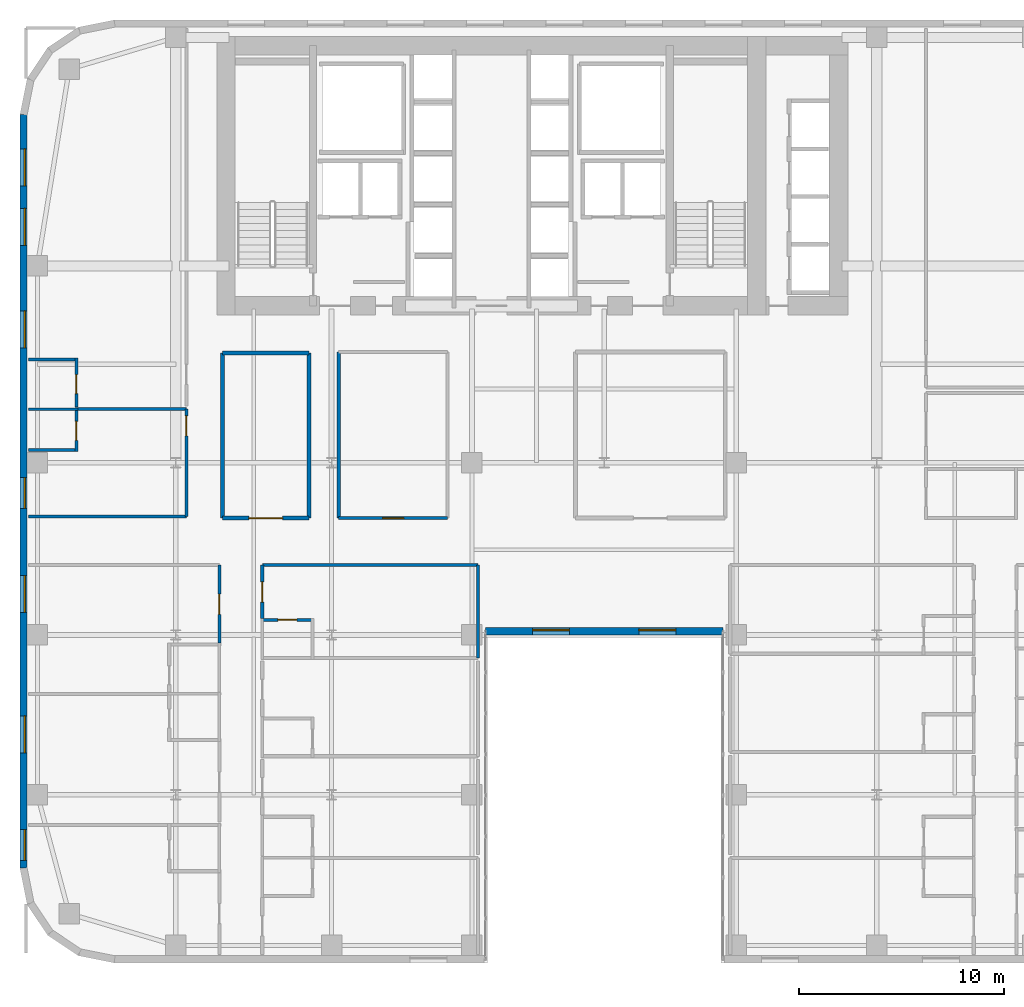
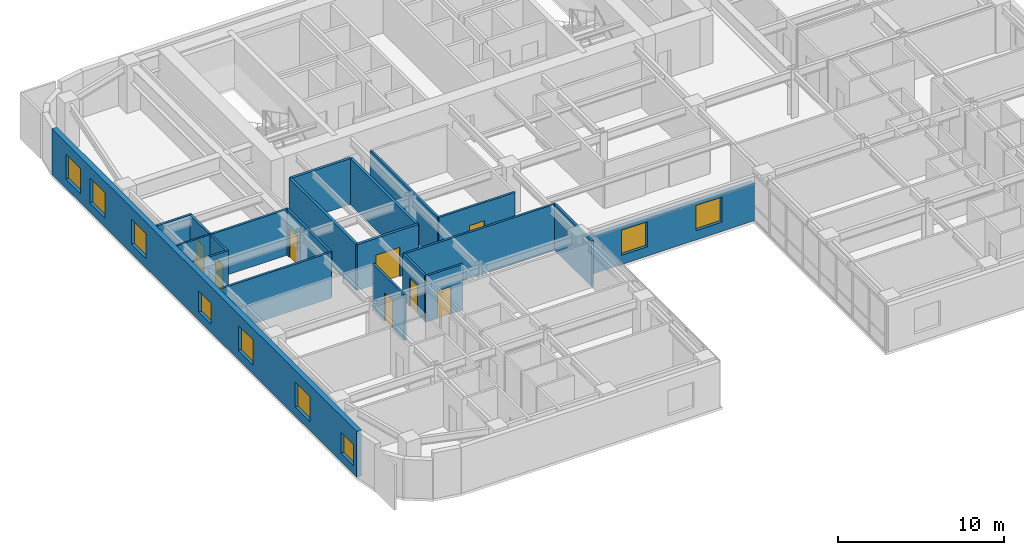
# One storey, part 11 of 17: 21 walls, 9 windows, 8 doors, 17 openings.
"""IFC4 building model written with IfcOpenShell, lengths in metres."""

from ifc_helpers import new_model, si_unit, direction, frame, frame_2d, origin, place, context, subcontext, project, spatial, rectangle, extrude, source, transform, mapped, material, layer, layer_set, type_object, type_shapes, element, fill, save


model = new_model("IFC4")

# Units and contexts
model_context = context("Model", 3, precision=1e-05, world=origin(), true_north=direction((0.0, 1.0)))
body_context = subcontext(model_context, "Body", "Model", "MODEL_VIEW")
ifc_project = project(units=[si_unit("LENGTHUNIT", "METRE"), si_unit("AREAUNIT", "SQUARE_METRE"), si_unit("VOLUMEUNIT", "CUBIC_METRE"), si_unit("PLANEANGLEUNIT", "RADIAN"), si_unit("MASSUNIT", "GRAM", prefix="KILO")], contexts=[model_context])

# Site, building, storey
site_placement = place(None, origin())
site = spatial("IfcSite", under=ifc_project, at=site_placement, CompositionType="ELEMENT")
building_placement = place(site_placement, origin())
building = spatial("IfcBuilding", under=site, at=building_placement, Name="Tolvann Quenvar Hotel", CompositionType="ELEMENT")
storey_placement = place(building_placement, frame((0.0, 0.0, 49.75)))
storey = spatial("IfcBuildingStorey", under=building, at=storey_placement, Name="L11", CompositionType="ELEMENT", Elevation=49.75)

# Wall, openings, windows
ifc_material_1 = material(Name="Kiln-fired red and buff architectural clay brickwork and terracotta masonry", Category="masonry")
ifc_layer_1 = layer(ifc_material_1, 0.35009765625)
ifc_layer_set_1 = layer_set([ifc_layer_1], Name="Kiln-fired red and buff architectural clay brickwork and terracotta masonry")
wall_type_1 = type_object("IfcWallType", Name="WALL_EXT_BRICK_350", PredefinedType="SOLIDWALL", material=ifc_layer_set_1)
wall_1_placement = place(storey_placement, frame((22.7099609375, 16.175048828125, 0.0), z_axis=(0.0, 0.0, 1.0), x_axis=(1.0, 0.0, 0.0)))
wall_1 = element("IfcWall", 1, at=wall_1_placement, inside=storey, type_object=wall_type_1, Name="Exterior Chicago Brick Wall L11-E06", PredefinedType="SOLIDWALL", context=body_context, shape_type="SweptSolid", body=[
    extrude(rectangle(XDim=11.580078125, YDim=0.35009765625, at=frame_2d((5.7900390625, 0.0))), origin(), (0.0, 0.0, 1.0), 2.748046875),
])
opening_1_placement = place(wall_1_placement, frame((2.294921875, 0.0, 0.679931640625)))
opening_1 = element("IfcOpeningElement", 2, at=opening_1_placement, cuts=wall_1, Name="Opening W-03", PredefinedType="OPENING", context=body_context, shape_type="SweptSolid", body=[
    extrude(rectangle(XDim=1.800048828125, YDim=1.85009765625, at=frame_2d((0.89990234375, 0.925048828125))), frame((0.0, 0.18505859375, 0.0), z_axis=(0.0, -1.0, 0.0), x_axis=(1.0, 0.0, 0.0)), (0.0, 0.0, 1.0), 0.3701171875),
])
opening_2_placement = place(wall_1_placement, frame((7.485107421875, 0.0, 0.679931640625)))
opening_2 = element("IfcOpeningElement", 3, at=opening_2_placement, cuts=wall_1, Name="Opening W-03", PredefinedType="OPENING", context=body_context, shape_type="SweptSolid", body=[
    extrude(rectangle(XDim=1.800048828125, YDim=1.85009765625, at=frame_2d((0.89990234375, 0.925048828125))), frame((0.0, 0.18505859375, 0.0), z_axis=(0.0, -1.0, 0.0), x_axis=(1.0, 0.0, 0.0)), (0.0, 0.0, 1.0), 0.3701171875),
])
ifc_material_2 = material(Name="Thermally broken bronze-anodised aluminium frame with double low-E glazing", Category="aluminium")
window_type_1 = type_object("IfcWindowType", Name="WIN_CHI_1800x2050", PartitioningType="TRIPLE_PANEL_HORIZONTAL", PredefinedType="WINDOW", material=ifc_material_2)
shared_shape_1 = source(origin(), body_context, "Body", "SweptSolid", [
    extrude(rectangle(XDim=1.800048828125, YDim=1.85009765625, at=frame_2d((0.89990234375, 0.925048828125))), frame((0.0, 0.090087890625, 0.0), z_axis=(0.0, -1.0, 0.0), x_axis=(1.0, 0.0, 0.0)), (0.0, 0.0, 1.0), 0.06005859375),
])
type_shapes(window_type_1, [shared_shape_1])
window_1_placement = place(opening_1_placement, origin())
window_1 = element("IfcWindow", 4, at=window_1_placement, inside=storey, type_object=window_type_1, Name="Chicago Window W-03 (EW-L11-E06-W01)", OverallHeight=1.85009765625, OverallWidth=1.800048828125, PartitioningType="TRIPLE_PANEL_HORIZONTAL", PredefinedType="WINDOW", context=body_context, shape_type="MappedRepresentation", body=[
    mapped(shared_shape_1, transform((0.0, 0.0, 0.0), x_axis=(1.0, 0.0, 0.0), y_axis=(0.0, 1.0, 0.0), z_axis=(0.0, 0.0, 1.0), scale=1.0)),
])
fill(opening_1, window_1)
window_2_placement = place(opening_2_placement, origin())
window_2 = element("IfcWindow", 5, at=window_2_placement, inside=storey, type_object=window_type_1, Name="Chicago Window W-03 (EW-L11-E06-W02)", OverallHeight=1.85009765625, OverallWidth=1.800048828125, PartitioningType="TRIPLE_PANEL_HORIZONTAL", PredefinedType="WINDOW", context=body_context, shape_type="MappedRepresentation", body=[
    mapped(shared_shape_1, transform((0.0, 0.0, 0.0), x_axis=(1.0, 0.0, 0.0), y_axis=(0.0, 1.0, 0.0), z_axis=(0.0, 0.0, 1.0), scale=1.0)),
])
fill(opening_2, window_2)

wall_2_placement = place(storey_placement, frame((0.175048828125, 41.3828125, 0.0), z_axis=(0.0, 0.0, 1.0), x_axis=(0.0, -1.0, 0.0)))
wall_2 = element("IfcWall", 6, at=wall_2_placement, inside=storey, type_object=wall_type_1, Name="Exterior Chicago Brick Wall L11-E23", PredefinedType="SOLIDWALL", context=body_context, shape_type="SweptSolid", body=[
    extrude(rectangle(XDim=36.765625, YDim=0.35009765625, at=frame_2d((18.3828125, 0.0))), origin(), (0.0, 0.0, 1.0), 3.3701171875),
])
opening_3_placement = place(wall_2_placement, frame((1.676025390625, 0.0, 0.679931640625)))
opening_3 = element("IfcOpeningElement", 7, at=opening_3_placement, cuts=wall_2, Name="Opening W-03", PredefinedType="OPENING", context=body_context, shape_type="SweptSolid", body=[
    extrude(rectangle(XDim=1.800048828125, YDim=1.85009765625, at=frame_2d((0.89990234375, 0.925048828125))), frame((0.0, 0.18505859375, 0.0), z_axis=(0.0, -1.0, 0.0), x_axis=(1.0, 0.0, 0.0)), (0.0, 0.0, 1.0), 0.3701171875),
])
opening_4_placement = place(wall_2_placement, frame((4.577880859375, 0.0, 0.679931640625)))
opening_4 = element("IfcOpeningElement", 8, at=opening_4_placement, cuts=wall_2, Name="Opening W-03", PredefinedType="OPENING", context=body_context, shape_type="SweptSolid", body=[
    extrude(rectangle(XDim=1.800048828125, YDim=1.85009765625, at=frame_2d((0.89990234375, 0.925048828125))), frame((0.0, 0.18505859375, 0.0), z_axis=(0.0, -1.0, 0.0), x_axis=(1.0, 0.0, 0.0)), (0.0, 0.0, 1.0), 0.3701171875),
])
opening_5_placement = place(wall_2_placement, frame((9.5791015625, 0.0, 0.679931640625)))
opening_5 = element("IfcOpeningElement", 9, at=opening_5_placement, cuts=wall_2, Name="Opening W-03", PredefinedType="OPENING", context=body_context, shape_type="SweptSolid", body=[
    extrude(rectangle(XDim=1.800048828125, YDim=1.85009765625, at=frame_2d((0.89990234375, 0.925048828125))), frame((0.0, 0.18505859375, 0.0), z_axis=(0.0, -1.0, 0.0), x_axis=(1.0, 0.0, 0.0)), (0.0, 0.0, 1.0), 0.3701171875),
])
opening_6_placement = place(wall_2_placement, frame((22.485107421875, 0.0, 0.679931640625)))
opening_6 = element("IfcOpeningElement", 10, at=opening_6_placement, cuts=wall_2, Name="Opening W-03", PredefinedType="OPENING", context=body_context, shape_type="SweptSolid", body=[
    extrude(rectangle(XDim=1.800048828125, YDim=1.85009765625, at=frame_2d((0.89990234375, 0.925048828125))), frame((0.0, 0.18505859375, 0.0), z_axis=(0.0, -1.0, 0.0), x_axis=(1.0, 0.0, 0.0)), (0.0, 0.0, 1.0), 0.3701171875),
])
opening_7_placement = place(wall_2_placement, frame((29.337890625, 0.0, 0.679931640625)))
opening_7 = element("IfcOpeningElement", 11, at=opening_7_placement, cuts=wall_2, Name="Opening W-03", PredefinedType="OPENING", context=body_context, shape_type="SweptSolid", body=[
    extrude(rectangle(XDim=1.800048828125, YDim=1.85009765625, at=frame_2d((0.89990234375, 0.925048828125))), frame((0.0, 0.18505859375, 0.0), z_axis=(0.0, -1.0, 0.0), x_axis=(1.0, 0.0, 0.0)), (0.0, 0.0, 1.0), 0.3701171875),
])
opening_8_placement = place(wall_2_placement, frame((34.87890625, 0.0, 0.6201171875)))
opening_8 = element("IfcOpeningElement", 12, at=opening_8_placement, cuts=wall_2, Name="Opening W-08", PredefinedType="OPENING", context=body_context, shape_type="SweptSolid", body=[
    extrude(rectangle(XDim=1.5, YDim=1.550048828125, at=frame_2d((0.75, 0.77490234375))), frame((0.0, 0.18505859375, 0.0), z_axis=(0.0, -1.0, 0.0), x_axis=(1.0, 0.0, 0.0)), (0.0, 0.0, 1.0), 0.3701171875),
])
opening_9_placement = place(wall_2_placement, frame((17.7041015625, 0.0, 0.6201171875)))
opening_9 = element("IfcOpeningElement", 13, at=opening_9_placement, cuts=wall_2, Name="Opening W-08", PredefinedType="OPENING", context=body_context, shape_type="SweptSolid", body=[
    extrude(rectangle(XDim=1.5, YDim=1.550048828125, at=frame_2d((0.75, 0.77490234375))), frame((0.0, 0.18505859375, 0.0), z_axis=(0.0, -1.0, 0.0), x_axis=(1.0, 0.0, 0.0)), (0.0, 0.0, 1.0), 0.3701171875),
])
window_type_2 = type_object("IfcWindowType", Name="WIN_COR_1500x2050", PartitioningType="SINGLE_PANEL", PredefinedType="WINDOW", material=ifc_material_2)
shared_shape_2 = source(origin(), body_context, "Body", "SweptSolid", [
    extrude(rectangle(XDim=1.5, YDim=1.550048828125, at=frame_2d((0.75, 0.77490234375))), frame((0.0, 0.090087890625, 0.0), z_axis=(0.0, -1.0, 0.0), x_axis=(1.0, 0.0, 0.0)), (0.0, 0.0, 1.0), 0.06005859375),
])
type_shapes(window_type_2, [shared_shape_2])
window_3_placement = place(opening_8_placement, origin())
window_3 = element("IfcWindow", 14, at=window_3_placement, inside=storey, type_object=window_type_2, Name="Chicago Window W-08 (EW-L11-E23-WD06)", OverallHeight=1.550048828125, OverallWidth=1.5, PartitioningType="SINGLE_PANEL", PredefinedType="WINDOW", context=body_context, shape_type="MappedRepresentation", body=[
    mapped(shared_shape_2, transform((0.0, 0.0, 0.0), x_axis=(1.0, 0.0, 0.0), y_axis=(0.0, 1.0, 0.0), z_axis=(0.0, 0.0, 1.0), scale=1.0)),
])
fill(opening_8, window_3)
window_4_placement = place(opening_9_placement, origin())
window_4 = element("IfcWindow", 15, at=window_4_placement, inside=storey, type_object=window_type_2, Name="Chicago Window W-08 (EW-L11-E23-WD07)", OverallHeight=1.550048828125, OverallWidth=1.5, PartitioningType="SINGLE_PANEL", PredefinedType="WINDOW", context=body_context, shape_type="MappedRepresentation", body=[
    mapped(shared_shape_2, transform((0.0, 0.0, 0.0), x_axis=(1.0, 0.0, 0.0), y_axis=(0.0, 1.0, 0.0), z_axis=(0.0, 0.0, 1.0), scale=1.0)),
])
fill(opening_9, window_4)
window_5_placement = place(opening_3_placement, origin())
window_5 = element("IfcWindow", 16, at=window_5_placement, inside=storey, type_object=window_type_1, Name="Chicago Window W-03 (EW-L11-E23-W01)", OverallHeight=1.85009765625, OverallWidth=1.800048828125, PartitioningType="TRIPLE_PANEL_HORIZONTAL", PredefinedType="WINDOW", context=body_context, shape_type="MappedRepresentation", body=[
    mapped(shared_shape_1, transform((0.0, 0.0, 0.0), x_axis=(1.0, 0.0, 0.0), y_axis=(0.0, 1.0, 0.0), z_axis=(0.0, 0.0, 1.0), scale=1.0)),
])
fill(opening_3, window_5)
window_6_placement = place(opening_4_placement, origin())
window_6 = element("IfcWindow", 17, at=window_6_placement, inside=storey, type_object=window_type_1, Name="Chicago Window W-03 (EW-L11-E23-W02)", OverallHeight=1.85009765625, OverallWidth=1.800048828125, PartitioningType="TRIPLE_PANEL_HORIZONTAL", PredefinedType="WINDOW", context=body_context, shape_type="MappedRepresentation", body=[
    mapped(shared_shape_1, transform((0.0, 0.0, 0.0), x_axis=(1.0, 0.0, 0.0), y_axis=(0.0, 1.0, 0.0), z_axis=(0.0, 0.0, 1.0), scale=1.0)),
])
fill(opening_4, window_6)
window_7_placement = place(opening_5_placement, origin())
window_7 = element("IfcWindow", 18, at=window_7_placement, inside=storey, type_object=window_type_1, Name="Chicago Window W-03 (EW-L11-E23-W03)", OverallHeight=1.85009765625, OverallWidth=1.800048828125, PartitioningType="TRIPLE_PANEL_HORIZONTAL", PredefinedType="WINDOW", context=body_context, shape_type="MappedRepresentation", body=[
    mapped(shared_shape_1, transform((0.0, 0.0, 0.0), x_axis=(1.0, 0.0, 0.0), y_axis=(0.0, 1.0, 0.0), z_axis=(0.0, 0.0, 1.0), scale=1.0)),
])
fill(opening_5, window_7)
window_8_placement = place(opening_6_placement, origin())
window_8 = element("IfcWindow", 19, at=window_8_placement, inside=storey, type_object=window_type_1, Name="Chicago Window W-03 (EW-L11-E23-W04)", OverallHeight=1.85009765625, OverallWidth=1.800048828125, PartitioningType="TRIPLE_PANEL_HORIZONTAL", PredefinedType="WINDOW", context=body_context, shape_type="MappedRepresentation", body=[
    mapped(shared_shape_1, transform((0.0, 0.0, 0.0), x_axis=(1.0, 0.0, 0.0), y_axis=(0.0, 1.0, 0.0), z_axis=(0.0, 0.0, 1.0), scale=1.0)),
])
fill(opening_6, window_8)
window_9_placement = place(opening_7_placement, origin())
window_9 = element("IfcWindow", 20, at=window_9_placement, inside=storey, type_object=window_type_1, Name="Chicago Window W-03 (EW-L11-E23-W05)", OverallHeight=1.85009765625, OverallWidth=1.800048828125, PartitioningType="TRIPLE_PANEL_HORIZONTAL", PredefinedType="WINDOW", context=body_context, shape_type="MappedRepresentation", body=[
    mapped(shared_shape_1, transform((0.0, 0.0, 0.0), x_axis=(1.0, 0.0, 0.0), y_axis=(0.0, 1.0, 0.0), z_axis=(0.0, 0.0, 1.0), scale=1.0)),
])
fill(opening_7, window_9)

# Wall, opening, door
ifc_material_3 = material(Name="Acoustic twin-stud fire-rated gypsum plasterboard partition")
ifc_layer_2 = layer(ifc_material_3, 0.179931640625)
ifc_layer_set_2 = layer_set([ifc_layer_2], Name="Acoustic twin-stud fire-rated gypsum plasterboard partition")
wall_type_2 = type_object("IfcWallType", Name="WALL_PART_ACOUSTIC_180", PredefinedType="PARTITIONING", material=ifc_layer_set_2)
wall_3_placement = place(storey_placement, frame((9.8798828125, 21.699951171875, 0.0), z_axis=(0.0, 0.0, 1.0), x_axis=(1.0, 0.0, 0.0)))
wall_3 = element("IfcWall", 21, at=wall_3_placement, inside=storey, type_object=wall_type_2, Name="Interior Partition PT-SPC-L11-MSP-W-S", PredefinedType="PARTITIONING", context=body_context, shape_type="SweptSolid", body=[
    extrude(rectangle(XDim=4.22021484375, YDim=0.179931640625, at=frame_2d((2.110107421875, 0.0))), origin(), (0.0, 0.0, 1.0), 3.3701171875),
])
opening_10_placement = place(wall_3_placement, frame((1.284912109375, 0.0, 0.0)))
opening_10 = element("IfcOpeningElement", 22, at=opening_10_placement, cuts=wall_3, Name="Opening AD-01", PredefinedType="OPENING", context=body_context, shape_type="SweptSolid", body=[
    extrude(rectangle(XDim=1.64990234375, YDim=2.14990234375, at=frame_2d((0.824951171875, 1.074951171875))), frame((0.0, 0.10009765625, 0.0), z_axis=(0.0, -1.0, 0.0), x_axis=(1.0, 0.0, 0.0)), (0.0, 0.0, 1.0), 0.199951171875),
])
ifc_material_4 = material(Name="Solid-core American oak acoustic fire door leaf in steel frame", Category="steel")
door_type_1 = type_object("IfcDoorType", Name="DOOR_SALON_1650", OperationType="NOTDEFINED", PredefinedType="DOOR", material=ifc_material_4)
shared_shape_3 = source(origin(), body_context, "Body", "SweptSolid", [
    extrude(rectangle(XDim=1.64990234375, YDim=2.14990234375, at=frame_2d((0.824951171875, 1.074951171875))), frame((0.0, 0.02490234375, 0.0), z_axis=(0.0, -1.0, 0.0), x_axis=(1.0, 0.0, 0.0)), (0.0, 0.0, 1.0), 0.050048828125),
])
type_shapes(door_type_1, [shared_shape_3])
door_1_placement = place(opening_10_placement, origin())
door_1 = element("IfcDoor", 23, at=door_1_placement, inside=storey, type_object=door_type_1, Name="Interior Door DOOR-SPC-L11-MSP-W", OperationType="DOUBLE_DOOR_SINGLE_SWING", OverallHeight=2.14990234375, OverallWidth=1.64990234375, PredefinedType="DOOR", context=body_context, shape_type="MappedRepresentation", body=[
    mapped(shared_shape_3, transform((0.0, 0.0, 0.0), x_axis=(1.0, 0.0, 0.0), y_axis=(0.0, 1.0, 0.0), z_axis=(0.0, 0.0, 1.0), scale=1.0)),
])
fill(opening_10, door_1)

# Walls
wall_4_placement = place(storey_placement, frame((9.8798828125, 29.75, 0.0), z_axis=(0.0, 0.0, 1.0), x_axis=(1.0, 0.0, 0.0)))
element("IfcWall", 24, at=wall_4_placement, inside=storey, type_object=wall_type_2, Name="Interior Partition PT-SPC-L11-MSP-W-N", PredefinedType="PARTITIONING", context=body_context, shape_type="SweptSolid", body=[
    extrude(rectangle(XDim=4.22021484375, YDim=0.179931640625, at=frame_2d((2.110107421875, 0.0))), origin(), (0.0, 0.0, 1.0), 3.3701171875),
])
for number, where, z_axis, x_axis, name in (
    (25, (9.8798828125, 21.699951171875, 0.0), (0.0, 0.0, 1.0), (0.0, 1.0, 0.0), "Interior Partition PT-SPC-L11-MSP-W-W"),
    (26, (14.10009765625, 21.699951171875, 0.0), (0.0, 0.0, 1.0), (0.0, 1.0, 0.0), "Interior Partition PT-SPC-L11-MSP-W-E"),
):
    element("IfcWall", number, at=place(storey_placement, frame(where, z_axis=z_axis, x_axis=x_axis)), inside=storey, type_object=wall_type_2, Name=name, PredefinedType="PARTITIONING", context=body_context, shape_type="SweptSolid", body=[
        extrude(rectangle(XDim=8.050048828125, YDim=0.179931640625, at=frame_2d((4.02490234375, 0.0))), origin(), (0.0, 0.0, 1.0), 3.3701171875),
    ])
ifc_material_5 = material(Name="Moisture-resistant acoustic plumbing wall assembly")
ifc_layer_3 = layer(ifc_material_5, 0.1201171875)
ifc_layer_set_3 = layer_set([ifc_layer_3], Name="Moisture-resistant acoustic plumbing wall assembly")
wall_type_3 = type_object("IfcWallType", Name="WALL_PART_BATH_120", PredefinedType="PLUMBINGWALL", material=ifc_layer_set_3)
wall_5_placement = place(storey_placement, frame((0.405029296875, 27.02001953125, 0.0), z_axis=(0.0, 0.0, 1.0), x_axis=(1.0, 0.0, 0.0)))
element("IfcWall", 27, at=wall_5_placement, inside=storey, type_object=wall_type_3, Name="Non-Rated Plumbing Partition PT-SPC-L11-ENS-NW01-N", PredefinedType="PLUMBINGWALL", context=body_context, shape_type="SweptSolid", body=[
    extrude(rectangle(XDim=2.4150390625, YDim=0.1201171875, at=frame_2d((1.20751953125, 0.0))), origin(), (0.0, 0.0, 1.0), 3.3701171875),
])

# Wall, opening, door
ifc_layer_4 = layer(ifc_material_3, 0.14990234375)
ifc_layer_set_4 = layer_set([ifc_layer_4], Name="Acoustic twin-stud fire-rated gypsum plasterboard partition")
wall_type_4 = type_object("IfcWallType", Name="WALL_PART_SUITE_150", PredefinedType="PARTITIONING", material=ifc_layer_set_4)
wall_6_placement = place(storey_placement, frame((11.75, 16.72998046875, 0.0), z_axis=(0.0, 0.0, 1.0), x_axis=(1.0, 0.0, 0.0)))
wall_6 = element("IfcWall", 28, at=wall_6_placement, inside=storey, type_object=wall_type_4, Name="Interior Partition PT-SPC-L11-ENS-WI04-N", PredefinedType="PARTITIONING", context=body_context, shape_type="SweptSolid", body=[
    extrude(rectangle(XDim=2.590087890625, YDim=0.14990234375, at=frame_2d((1.294921875, 0.0))), origin(), (0.0, 0.0, 1.0), 3.3701171875),
])
opening_11_placement = place(wall_6_placement, frame((0.8349609375, 0.0, 0.0)))
opening_11 = element("IfcOpeningElement", 29, at=opening_11_placement, cuts=wall_6, Name="Opening WD-01", PredefinedType="OPENING", context=body_context, shape_type="SweptSolid", body=[
    extrude(rectangle(XDim=0.919921875, YDim=2.010009765625, at=frame_2d((0.4599609375, 1.0048828125))), frame((0.0, 0.0849609375, 0.0), z_axis=(0.0, -1.0, 0.0), x_axis=(1.0, 0.0, 0.0)), (0.0, 0.0, 1.0), 0.169921875),
])
door_type_2 = type_object("IfcDoorType", Name="DOOR_WC_920", OperationType="NOTDEFINED", PredefinedType="DOOR", material=ifc_material_4)
shared_shape_4 = source(origin(), body_context, "Body", "SweptSolid", [
    extrude(rectangle(XDim=0.919921875, YDim=2.010009765625, at=frame_2d((0.4599609375, 1.0048828125))), frame((0.0, 0.02490234375, 0.0), z_axis=(0.0, -1.0, 0.0), x_axis=(1.0, 0.0, 0.0)), (0.0, 0.0, 1.0), 0.050048828125),
])
type_shapes(door_type_2, [shared_shape_4])
door_2_placement = place(opening_11_placement, origin())
door_2 = element("IfcDoor", 30, at=door_2_placement, inside=storey, type_object=door_type_2, Name="Interior Door DOOR-SPC-L11-ENS-WI04", OperationType="SINGLE_SWING_RIGHT", OverallHeight=2.010009765625, OverallWidth=0.919921875, PredefinedType="DOOR", context=body_context, shape_type="MappedRepresentation", body=[
    mapped(shared_shape_4, transform((0.0, 0.0, 0.0), x_axis=(1.0, 0.0, 0.0), y_axis=(0.0, 1.0, 0.0), z_axis=(0.0, 0.0, 1.0), scale=1.0)),
])
fill(opening_11, door_2)

wall_7_placement = place(storey_placement, frame((2.75, 24.958984375, 0.0), z_axis=(0.0, 0.0, 1.0), x_axis=(0.0, 1.0, 0.0)))
wall_7 = element("IfcWall", 31, at=wall_7_placement, inside=storey, type_object=wall_type_4, Name="Interior Partition PT-SPC-L11-ENS-NW01-ENT", PredefinedType="PARTITIONING", context=body_context, shape_type="SweptSolid", body=[
    extrude(rectangle(XDim=2.131103515625, YDim=0.14990234375, at=frame_2d((1.0654296875, 0.0))), origin(), (0.0, 0.0, 1.0), 3.3701171875),
])
opening_12_placement = place(wall_7_placement, frame((0.535400390625, 0.0, 0.0)))
opening_12 = element("IfcOpeningElement", 32, at=opening_12_placement, cuts=wall_7, Name="Opening WD-01", PredefinedType="OPENING", context=body_context, shape_type="SweptSolid", body=[
    extrude(rectangle(XDim=0.919921875, YDim=2.010009765625, at=frame_2d((0.4599609375, 1.0048828125))), frame((0.0, 0.0849609375, 0.0), z_axis=(0.0, -1.0, 0.0), x_axis=(1.0, 0.0, 0.0)), (0.0, 0.0, 1.0), 0.169921875),
])
door_3_placement = place(opening_12_placement, origin())
door_3 = element("IfcDoor", 33, at=door_3_placement, inside=storey, type_object=door_type_2, Name="Interior Door DOOR-SPC-L11-ENS-NW01", OperationType="SINGLE_SWING_RIGHT", OverallHeight=2.010009765625, OverallWidth=0.919921875, PredefinedType="DOOR", context=body_context, shape_type="MappedRepresentation", body=[
    mapped(shared_shape_4, transform((0.0, 0.0, 0.0), x_axis=(1.0, 0.0, 0.0), y_axis=(0.0, 1.0, 0.0), z_axis=(0.0, 0.0, 1.0), scale=1.0)),
])
fill(opening_12, door_3)

# Wall
wall_8_placement = place(storey_placement, frame((0.405029296875, 25.029052734375, 0.0), z_axis=(0.0, 0.0, 1.0), x_axis=(1.0, 0.0, 0.0)))
element("IfcWall", 34, at=wall_8_placement, inside=storey, type_object=wall_type_4, Name="Interior Partition PT-SPC-L11-ENS-NW01-S", PredefinedType="PARTITIONING", context=body_context, shape_type="SweptSolid", body=[
    extrude(rectangle(XDim=2.4150390625, YDim=0.14990234375, at=frame_2d((1.20751953125, 0.0))), origin(), (0.0, 0.0, 1.0), 3.3701171875),
])

# Wall, opening, door
wall_9_placement = place(storey_placement, frame((2.75, 27.110107421875, 0.0), z_axis=(0.0, 0.0, 1.0), x_axis=(0.0, 1.0, 0.0)))
wall_9 = element("IfcWall", 35, at=wall_9_placement, inside=storey, type_object=wall_type_4, Name="Interior Partition PT-SPC-L11-ENS-NW02-ENT", PredefinedType="PARTITIONING", context=body_context, shape_type="SweptSolid", body=[
    extrude(rectangle(XDim=2.389892578125, YDim=0.14990234375, at=frame_2d((1.19482421875, 0.0))), origin(), (0.0, 0.0, 1.0), 3.3701171875),
])
opening_13_placement = place(wall_9_placement, frame((0.6650390625, 0.0, 0.0)))
opening_13 = element("IfcOpeningElement", 36, at=opening_13_placement, cuts=wall_9, Name="Opening WD-01", PredefinedType="OPENING", context=body_context, shape_type="SweptSolid", body=[
    extrude(rectangle(XDim=0.919921875, YDim=2.010009765625, at=frame_2d((0.4599609375, 1.0048828125))), frame((0.0, 0.0849609375, 0.0), z_axis=(0.0, -1.0, 0.0), x_axis=(1.0, 0.0, 0.0)), (0.0, 0.0, 1.0), 0.169921875),
])
door_4_placement = place(opening_13_placement, origin())
door_4 = element("IfcDoor", 37, at=door_4_placement, inside=storey, type_object=door_type_2, Name="Interior Door DOOR-SPC-L11-ENS-NW02", OperationType="SINGLE_SWING_LEFT", OverallHeight=2.010009765625, OverallWidth=0.919921875, PredefinedType="DOOR", context=body_context, shape_type="MappedRepresentation", body=[
    mapped(shared_shape_4, transform((0.0, 0.0, 0.0), x_axis=(1.0, 0.0, 0.0), y_axis=(0.0, 1.0, 0.0), z_axis=(0.0, 0.0, 1.0), scale=1.0)),
])
fill(opening_13, door_4)

# Wall
wall_10_placement = place(storey_placement, frame((0.405029296875, 29.429931640625, 0.0), z_axis=(0.0, 0.0, 1.0), x_axis=(1.0, 0.0, 0.0)))
element("IfcWall", 38, at=wall_10_placement, inside=storey, type_object=wall_type_4, Name="Interior Partition PT-SPC-L11-ENS-NW02-N", PredefinedType="PARTITIONING", context=body_context, shape_type="SweptSolid", body=[
    extrude(rectangle(XDim=2.4150390625, YDim=0.14990234375, at=frame_2d((1.20751953125, 0.0))), origin(), (0.0, 0.0, 1.0), 3.3701171875),
])

# Wall, opening, door
wall_11_placement = place(storey_placement, frame((9.72998046875, 15.610107421875, 0.0), z_axis=(0.0, 0.0, 1.0), x_axis=(0.0, 1.0, 0.0)))
wall_11 = element("IfcWall", 39, at=wall_11_placement, inside=storey, type_object=wall_type_4, Name="Interior Partition PT-SPC-L11-RM-WO03-ENT", PredefinedType="PARTITIONING", context=body_context, shape_type="SweptSolid", body=[
    extrude(rectangle(XDim=3.809814453125, YDim=0.14990234375, at=frame_2d((1.90478515625, 0.0))), origin(), (0.0, 0.0, 1.0), 3.3701171875),
])
opening_14_placement = place(wall_11_placement, frame((1.39501953125, 0.0, 0.0)))
opening_14 = element("IfcOpeningElement", 40, at=opening_14_placement, cuts=wall_11, Name="Opening SD-01", PredefinedType="OPENING", context=body_context, shape_type="SweptSolid", body=[
    extrude(rectangle(XDim=0.97998046875, YDim=2.1201171875, at=frame_2d((0.489990234375, 1.06005859375))), frame((0.0, 0.0849609375, 0.0), z_axis=(0.0, -1.0, 0.0), x_axis=(1.0, 0.0, 0.0)), (0.0, 0.0, 1.0), 0.169921875),
])
door_type_3 = type_object("IfcDoorType", Name="DOOR_SUITE_980", OperationType="NOTDEFINED", PredefinedType="DOOR", material=ifc_material_4)
shared_shape_5 = source(origin(), body_context, "Body", "SweptSolid", [
    extrude(rectangle(XDim=0.97998046875, YDim=2.1201171875, at=frame_2d((0.489990234375, 1.06005859375))), frame((0.0, 0.02490234375, 0.0), z_axis=(0.0, -1.0, 0.0), x_axis=(1.0, 0.0, 0.0)), (0.0, 0.0, 1.0), 0.050048828125),
])
type_shapes(door_type_3, [shared_shape_5])
door_5_placement = place(opening_14_placement, origin())
door_5 = element("IfcDoor", 41, at=door_5_placement, inside=storey, type_object=door_type_3, Name="Interior Door DOOR-SPC-L11-RM-WO03", OperationType="SINGLE_SWING_LEFT", OverallHeight=2.1201171875, OverallWidth=0.97998046875, PredefinedType="DOOR", context=body_context, shape_type="MappedRepresentation", body=[
    mapped(shared_shape_5, transform((0.0, 0.0, 0.0), x_axis=(1.0, 0.0, 0.0), y_axis=(0.0, 1.0, 0.0), z_axis=(0.0, 0.0, 1.0), scale=1.0)),
])
fill(opening_14, door_5)

wall_12_placement = place(storey_placement, frame((11.820068359375, 16.81005859375, 0.0), z_axis=(0.0, 0.0, 1.0), x_axis=(0.0, 1.0, 0.0)))
wall_12 = element("IfcWall", 42, at=wall_12_placement, inside=storey, type_object=wall_type_4, Name="Interior Partition PT-SPC-L11-RM-WI04-ENT", PredefinedType="PARTITIONING", context=body_context, shape_type="SweptSolid", body=[
    extrude(rectangle(XDim=2.60986328125, YDim=0.14990234375, at=frame_2d((1.304931640625, 0.0))), origin(), (0.0, 0.0, 1.0), 3.3701171875),
])
opening_15_placement = place(wall_12_placement, frame((0.794921875, 0.0, 0.0)))
opening_15 = element("IfcOpeningElement", 43, at=opening_15_placement, cuts=wall_12, Name="Opening SD-01", PredefinedType="OPENING", context=body_context, shape_type="SweptSolid", body=[
    extrude(rectangle(XDim=0.97998046875, YDim=2.1201171875, at=frame_2d((0.489990234375, 1.06005859375))), frame((0.0, 0.0849609375, 0.0), z_axis=(0.0, -1.0, 0.0), x_axis=(1.0, 0.0, 0.0)), (0.0, 0.0, 1.0), 0.169921875),
])
door_6_placement = place(opening_15_placement, origin())
door_6 = element("IfcDoor", 44, at=door_6_placement, inside=storey, type_object=door_type_3, Name="Interior Door DOOR-SPC-L11-RM-WI04", OperationType="SINGLE_SWING_LEFT", OverallHeight=2.1201171875, OverallWidth=0.97998046875, PredefinedType="DOOR", context=body_context, shape_type="MappedRepresentation", body=[
    mapped(shared_shape_5, transform((0.0, 0.0, 0.0), x_axis=(1.0, 0.0, 0.0), y_axis=(0.0, 1.0, 0.0), z_axis=(0.0, 0.0, 1.0), scale=1.0)),
])
fill(opening_15, door_6)

# Walls
wall_13_placement = place(storey_placement, frame((22.35009765625, 14.8798828125, 0.0), z_axis=(0.0, 0.0, 1.0), x_axis=(0.0, 1.0, 0.0)))
element("IfcWall", 45, at=wall_13_placement, inside=storey, type_object=wall_type_4, Name="Interior Partition PT-SPC-L11-RM-WI04-E4", PredefinedType="PARTITIONING", context=body_context, shape_type="SweptSolid", body=[
    extrude(rectangle(XDim=4.5400390625, YDim=0.14990234375, at=frame_2d((2.27001953125, 0.0))), origin(), (0.0, 0.0, 1.0), 3.3701171875),
])
wall_14_placement = place(storey_placement, frame((11.820068359375, 19.419921875, 0.0), z_axis=(0.0, 0.0, 1.0), x_axis=(1.0, 0.0, 0.0)))
element("IfcWall", 46, at=wall_14_placement, inside=storey, type_object=wall_type_4, Name="Interior Partition PT-SPC-L11-RM-WI04-E5", PredefinedType="PARTITIONING", context=body_context, shape_type="SweptSolid", body=[
    extrude(rectangle(XDim=10.530029296875, YDim=0.14990234375, at=frame_2d((5.26513671875, 0.0))), origin(), (0.0, 0.0, 1.0), 3.3701171875),
])

# Wall, opening, door
wall_15_placement = place(storey_placement, frame((8.1201171875, 21.780029296875, 0.0), z_axis=(0.0, 0.0, 1.0), x_axis=(0.0, 1.0, 0.0)))
wall_15 = element("IfcWall", 47, at=wall_15_placement, inside=storey, type_object=wall_type_4, Name="Interior Partition PT-SPC-L11-RM-NW01-ENT", PredefinedType="PARTITIONING", context=body_context, shape_type="SweptSolid", body=[
    extrude(rectangle(XDim=5.239990234375, YDim=0.14990234375, at=frame_2d((2.6201171875, 0.0))), origin(), (0.0, 0.0, 1.0), 3.3701171875),
])
opening_16_placement = place(wall_15_placement, frame((3.929931640625, 0.0, 0.0)))
opening_16 = element("IfcOpeningElement", 48, at=opening_16_placement, cuts=wall_15, Name="Opening SD-01", PredefinedType="OPENING", context=body_context, shape_type="SweptSolid", body=[
    extrude(rectangle(XDim=0.97998046875, YDim=2.1201171875, at=frame_2d((0.489990234375, 1.06005859375))), frame((0.0, 0.0849609375, 0.0), z_axis=(0.0, -1.0, 0.0), x_axis=(1.0, 0.0, 0.0)), (0.0, 0.0, 1.0), 0.169921875),
])
door_7_placement = place(opening_16_placement, origin())
door_7 = element("IfcDoor", 49, at=door_7_placement, inside=storey, type_object=door_type_3, Name="Interior Door DOOR-SPC-L11-RM-NW01", OperationType="SINGLE_SWING_LEFT", OverallHeight=2.1201171875, OverallWidth=0.97998046875, PredefinedType="DOOR", context=body_context, shape_type="MappedRepresentation", body=[
    mapped(shared_shape_5, transform((0.0, 0.0, 0.0), x_axis=(1.0, 0.0, 0.0), y_axis=(0.0, 1.0, 0.0), z_axis=(0.0, 0.0, 1.0), scale=1.0)),
])
fill(opening_16, door_7)

# Walls
wall_16_placement = place(storey_placement, frame((0.405029296875, 21.780029296875, 0.0), z_axis=(0.0, 0.0, 1.0), x_axis=(1.0, 0.0, 0.0)))
element("IfcWall", 50, at=wall_16_placement, inside=storey, type_object=wall_type_4, Name="Interior Partition PT-SPC-L11-RM-NW01-E1", PredefinedType="PARTITIONING", context=body_context, shape_type="SweptSolid", body=[
    extrude(rectangle(XDim=7.715087890625, YDim=0.14990234375, at=frame_2d((3.857421875, 0.0))), origin(), (0.0, 0.0, 1.0), 3.3701171875),
])
wall_17_placement = place(storey_placement, frame((2.77001953125, 27.02001953125, 0.0), z_axis=(0.0, 0.0, 1.0), x_axis=(1.0, 0.0, 0.0)))
element("IfcWall", 51, at=wall_17_placement, inside=storey, type_object=wall_type_4, Name="Interior Partition PT-SPC-L11-RM-NW01-E3", PredefinedType="PARTITIONING", context=body_context, shape_type="SweptSolid", body=[
    extrude(rectangle(XDim=5.35009765625, YDim=0.14990234375, at=frame_2d((2.675048828125, 0.0))), origin(), (0.0, 0.0, 1.0), 3.3701171875),
])

# Wall, opening, door
wall_18_placement = place(storey_placement, frame((15.550048828125, 21.699951171875, 0.0), z_axis=(0.0, 0.0, 1.0), x_axis=(1.0, 0.0, 0.0)))
wall_18 = element("IfcWall", 52, at=wall_18_placement, inside=storey, type_object=wall_type_4, Name="Interior Partition PT-SPC-L11-MSP-N-S", PredefinedType="PARTITIONING", context=body_context, shape_type="SweptSolid", body=[
    extrude(rectangle(XDim=5.300048828125, YDim=0.14990234375, at=frame_2d((2.64990234375, 0.0))), origin(), (0.0, 0.0, 1.0), 3.3701171875),
])
opening_17_placement = place(wall_18_placement, frame((2.139892578125, 0.0, 0.0)))
opening_17 = element("IfcOpeningElement", 53, at=opening_17_placement, cuts=wall_18, Name="Opening HD-01", PredefinedType="OPENING", context=body_context, shape_type="SweptSolid", body=[
    extrude(rectangle(XDim=1.02001953125, YDim=2.030029296875, at=frame_2d((0.510009765625, 1.01513671875))), frame((0.0, 0.0849609375, 0.0), z_axis=(0.0, -1.0, 0.0), x_axis=(1.0, 0.0, 0.0)), (0.0, 0.0, 1.0), 0.169921875),
])
ifc_material_6 = material(Name="Pressed galvanised steel fire-rated door set", Category="steel")
door_type_4 = type_object("IfcDoorType", Name="DOOR_BOH_1020", OperationType="NOTDEFINED", PredefinedType="DOOR", material=ifc_material_6)
shared_shape_6 = source(origin(), body_context, "Body", "SweptSolid", [
    extrude(rectangle(XDim=1.02001953125, YDim=2.030029296875, at=frame_2d((0.510009765625, 1.01513671875))), frame((0.0, 0.02490234375, 0.0), z_axis=(0.0, -1.0, 0.0), x_axis=(1.0, 0.0, 0.0)), (0.0, 0.0, 1.0), 0.050048828125),
])
type_shapes(door_type_4, [shared_shape_6])
door_8_placement = place(opening_17_placement, origin())
door_8 = element("IfcDoor", 54, at=door_8_placement, inside=storey, type_object=door_type_4, Name="Interior Door DOOR-SPC-L11-MSP-N", OperationType="SINGLE_SWING_LEFT", OverallHeight=2.030029296875, OverallWidth=1.02001953125, PredefinedType="DOOR", context=body_context, shape_type="MappedRepresentation", body=[
    mapped(shared_shape_6, transform((0.0, 0.0, 0.0), x_axis=(1.0, 0.0, 0.0), y_axis=(0.0, 1.0, 0.0), z_axis=(0.0, 0.0, 1.0), scale=1.0)),
])
fill(opening_17, door_8)

# Wall
wall_19_placement = place(storey_placement, frame((15.550048828125, 21.699951171875, 0.0), z_axis=(0.0, 0.0, 1.0), x_axis=(0.0, 1.0, 0.0)))
element("IfcWall", 55, at=wall_19_placement, inside=storey, type_object=wall_type_4, Name="Interior Partition PT-SPC-L11-MSP-N-W", PredefinedType="PARTITIONING", context=body_context, shape_type="SweptSolid", body=[
    extrude(rectangle(XDim=8.10009765625, YDim=0.14990234375, at=frame_2d((4.050048828125, 0.0))), origin(), (0.0, 0.0, 1.0), 3.3701171875),
])

save(model, "model.ifc")
